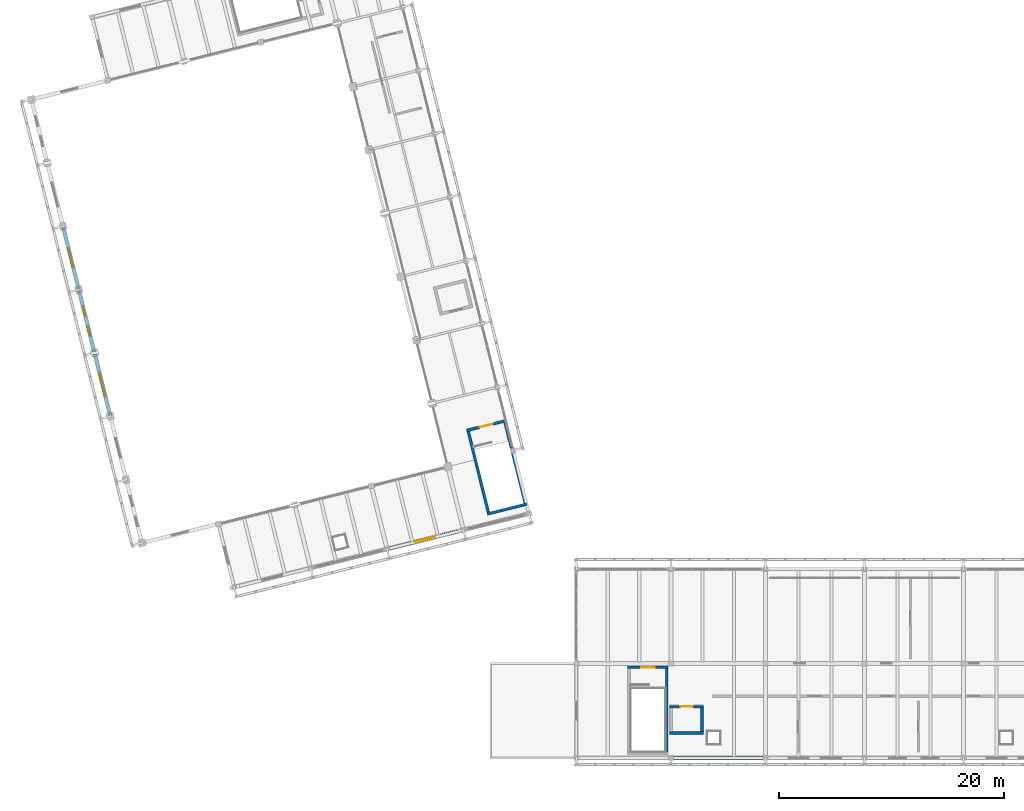
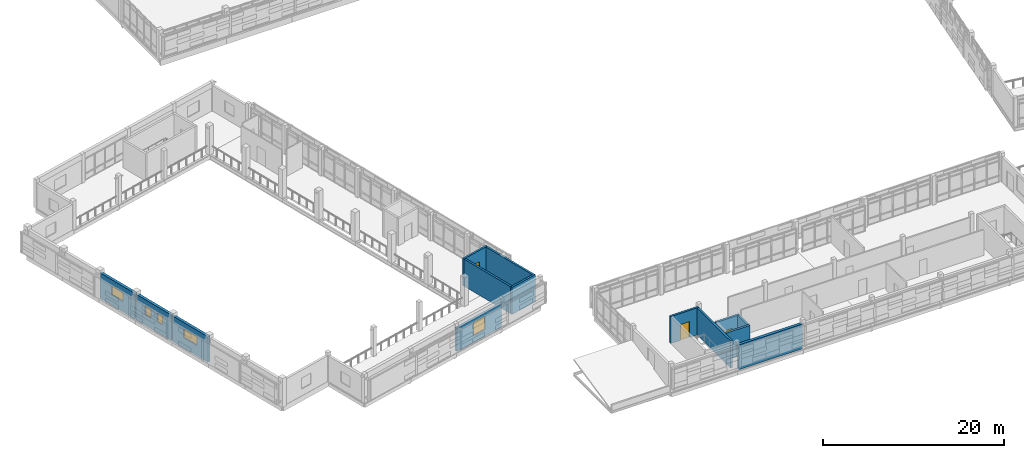
# One storey, part 94 of 117: 14 walls, 5 windows, 3 doors, 8 openings.
"""IFC4 building model written with IfcOpenShell, lengths in metres."""

from ifc_helpers import new_model, si_unit, direction, frame, frame_2d, origin, place, context, subcontext, project, spatial, rectangle, extrude, material, layer, layer_set, type_object, element, fill, save


model = new_model("IFC4")

# Units and contexts
model_context = context("Model", 3, precision=1e-05, world=origin(), true_north=direction((0.0, 1.0)))
body_context = subcontext(model_context, "Body", "Model", "MODEL_VIEW")
ifc_project = project(units=[si_unit("LENGTHUNIT", "METRE"), si_unit("AREAUNIT", "SQUARE_METRE"), si_unit("VOLUMEUNIT", "CUBIC_METRE"), si_unit("PLANEANGLEUNIT", "RADIAN"), si_unit("MASSUNIT", "GRAM", prefix="KILO")], contexts=[model_context])

# Site, building, storey
site_placement = place(None, origin())
site = spatial("IfcSite", under=ifc_project, at=site_placement, CompositionType="ELEMENT")
building_placement = place(site_placement, origin())
building = spatial("IfcBuilding", under=site, at=building_placement, Name="Cinderway Yard Community Centre", CompositionType="ELEMENT")
storey_placement = place(building_placement, frame((0.0, 0.0, 9.0)))
storey = spatial("IfcBuildingStorey", under=building, at=storey_placement, Name="L02", CompositionType="ELEMENT", Elevation=9.0)

# Wall, opening, window
ifc_material_1 = material(Name="Brick Masonry", Category="masonry")
ifc_layer_1 = layer(ifc_material_1, 0.300048828125, Name="Brick Masonry")
ifc_layer_set_1 = layer_set([ifc_layer_1], Name="Brick Masonry")
wall_type_1 = type_object("IfcWallType", Name="ENV-WAL-EXT300", PredefinedType="SOLIDWALL", material=ifc_layer_set_1)
wall_1_placement = place(storey_placement, frame((41.68603515625, 24.593994140625, 0.0), z_axis=(0.0, 0.0, 1.0), x_axis=(0.970296478685, 0.241918877831, 0.0)))
wall_1 = element("IfcWall", 1, at=wall_1_placement, inside=storey, type_object=wall_type_1, Name="Sanctuary South Brick Wall ENV-WAL-L02-0044", PredefinedType="SOLIDWALL", context=body_context, shape_type="SweptSolid", body=[
    extrude(rectangle(XDim=6.7998046875, YDim=0.300048828125, at=frame_2d((3.39990234375, 0.0))), origin(), (0.0, 0.0, 1.0), 3.135009765625),
])
opening_1_placement = place(wall_1_placement, frame((2.5, 0.0, 0.89990234375)))
opening_1 = element("IfcOpeningElement", 2, at=opening_1_placement, cuts=wall_1, Name="Opening W-08", PredefinedType="OPENING", context=body_context, shape_type="SweptSolid", body=[
    extrude(rectangle(XDim=1.800048828125, YDim=1.800048828125, at=frame_2d((0.89990234375, 0.89990234375))), frame((0.0, 0.159912109375, 0.0), z_axis=(0.0, -1.0, 0.0), x_axis=(1.0, 0.0, 0.0)), (0.0, 0.0, 1.0), 0.320068359375),
])
ifc_material_2 = material(Name="Laminated Low-E Glass", Category="glass")
window_type_1 = type_object("IfcWindowType", Name="ENV-WIN-W08", PartitioningType="DOUBLE_PANEL_VERTICAL", PredefinedType="WINDOW", material=ifc_material_2)
window_1_placement = place(opening_1_placement, origin())
window_1 = element("IfcWindow", 3, at=window_1_placement, inside=storey, type_object=window_type_1, Name="Exterior window ENV-WIN-L02-0032", OverallHeight=1.800048828125, OverallWidth=1.800048828125, PartitioningType="SINGLE_PANEL", PredefinedType="WINDOW", context=body_context, shape_type="SweptSolid", body=[
    extrude(rectangle(XDim=1.800048828125, YDim=1.800048828125, at=frame_2d((0.89990234375, 0.89990234375))), frame((0.0, 0.030029296875, 0.0), z_axis=(0.0, -1.0, 0.0), x_axis=(1.0, 0.0, 0.0)), (0.0, 0.0, 1.0), 0.06005859375),
])
fill(opening_1, window_1)

ifc_layer_2 = layer(ifc_material_1, 0.340087890625, Name="Brick Masonry")
ifc_layer_set_2 = layer_set([ifc_layer_2], Name="Brick Masonry")
wall_type_2 = type_object("IfcWallType", Name="ENV-WAL-EXT340", PredefinedType="SOLIDWALL", material=ifc_layer_set_2)
wall_2_placement = place(storey_placement, frame((16.97900390625, 36.468994140625, 0.0), z_axis=(0.0, 0.0, 1.0), x_axis=(-0.241940664393, 0.970291046497, 0.0)))
wall_2 = element("IfcWall", 4, at=wall_2_placement, inside=storey, type_object=wall_type_2, Name="Main Hall West Brick Wall ENV-WAL-L02-0038", PredefinedType="SOLIDWALL", context=body_context, shape_type="SweptSolid", body=[
    extrude(rectangle(XDim=5.6005859375, YDim=0.340087890625, at=frame_2d((2.80029296875, 0.0))), origin(), (0.0, 0.0, 1.0), 3.449951171875),
])
opening_2_placement = place(wall_2_placement, frame((1.699951171875, 0.0, 1.39990234375)))
opening_2 = element("IfcOpeningElement", 5, at=opening_2_placement, cuts=wall_2, Name="Opening W-22", PredefinedType="OPENING", context=body_context, shape_type="SweptSolid", body=[
    extrude(rectangle(XDim=2.199951171875, YDim=1.199951171875, at=frame_2d((1.10009765625, 0.60009765625))), frame((0.0, 0.179931640625, 0.0), z_axis=(0.0, -1.0, 0.0), x_axis=(1.0, 0.0, 0.0)), (0.0, 0.0, 1.0), 0.360107421875),
])
window_type_2 = type_object("IfcWindowType", Name="ENV-WIN-W22", PartitioningType="DOUBLE_PANEL_VERTICAL", PredefinedType="WINDOW", material=ifc_material_2)
window_2_placement = place(opening_2_placement, origin())
window_2 = element("IfcWindow", 6, at=window_2_placement, inside=storey, type_object=window_type_2, Name="Exterior window ENV-WIN-L02-0024", OverallHeight=1.199951171875, OverallWidth=2.199951171875, PartitioningType="SINGLE_PANEL", PredefinedType="WINDOW", context=body_context, shape_type="SweptSolid", body=[
    extrude(rectangle(XDim=2.199951171875, YDim=1.199951171875, at=frame_2d((1.10009765625, 0.60009765625))), frame((0.0, 0.030029296875, 0.0), z_axis=(0.0, -1.0, 0.0), x_axis=(1.0, 0.0, 0.0)), (0.0, 0.0, 1.0), 0.06005859375),
])
fill(opening_2, window_2)

# Wall, openings, windows
wall_3_placement = place(storey_placement, frame((15.575927734375, 42.096923828125, 0.0), z_axis=(0.0, 0.0, 1.0), x_axis=(-0.241940664393, 0.970291046497, 0.0)))
wall_3 = element("IfcWall", 7, at=wall_3_placement, inside=storey, type_object=wall_type_2, Name="Main Hall West Brick Wall ENV-WAL-L02-0039", PredefinedType="SOLIDWALL", context=body_context, shape_type="SweptSolid", body=[
    extrude(rectangle(XDim=5.6005859375, YDim=0.340087890625, at=frame_2d((2.80029296875, 0.0))), origin(), (0.0, 0.0, 1.0), 3.449951171875),
])
opening_3_placement = place(wall_3_placement, frame((1.4169921875, 0.0, 1.39990234375)))
opening_3 = element("IfcOpeningElement", 8, at=opening_3_placement, cuts=wall_3, Name="Opening W-19", PredefinedType="OPENING", context=body_context, shape_type="SweptSolid", body=[
    extrude(rectangle(XDim=0.89990234375, YDim=1.199951171875, at=frame_2d((0.449951171875, 0.60009765625))), frame((0.0, 0.179931640625, 0.0), z_axis=(0.0, -1.0, 0.0), x_axis=(1.0, 0.0, 0.0)), (0.0, 0.0, 1.0), 0.360107421875),
])
opening_4_placement = place(wall_3_placement, frame((3.283935546875, 0.0, 1.39990234375)))
opening_4 = element("IfcOpeningElement", 9, at=opening_4_placement, cuts=wall_3, Name="Opening W-19", PredefinedType="OPENING", context=body_context, shape_type="SweptSolid", body=[
    extrude(rectangle(XDim=0.89990234375, YDim=1.199951171875, at=frame_2d((0.449951171875, 0.60009765625))), frame((0.0, 0.179931640625, 0.0), z_axis=(0.0, -1.0, 0.0), x_axis=(1.0, 0.0, 0.0)), (0.0, 0.0, 1.0), 0.360107421875),
])
window_type_3 = type_object("IfcWindowType", Name="ENV-WIN-W19", PartitioningType="SINGLE_PANEL", PredefinedType="WINDOW", material=ifc_material_2)
window_3_placement = place(opening_3_placement, origin())
window_3 = element("IfcWindow", 10, at=window_3_placement, inside=storey, type_object=window_type_3, Name="Exterior window ENV-WIN-L02-0025", OverallHeight=1.199951171875, OverallWidth=0.89990234375, PartitioningType="SINGLE_PANEL", PredefinedType="WINDOW", context=body_context, shape_type="SweptSolid", body=[
    extrude(rectangle(XDim=0.89990234375, YDim=1.199951171875, at=frame_2d((0.449951171875, 0.60009765625))), frame((0.0, 0.030029296875, 0.0), z_axis=(0.0, -1.0, 0.0), x_axis=(1.0, 0.0, 0.0)), (0.0, 0.0, 1.0), 0.06005859375),
])
fill(opening_3, window_3)
window_4_placement = place(opening_4_placement, origin())
window_4 = element("IfcWindow", 11, at=window_4_placement, inside=storey, type_object=window_type_3, Name="Exterior window ENV-WIN-L02-0026", OverallHeight=1.199951171875, OverallWidth=0.89990234375, PartitioningType="SINGLE_PANEL", PredefinedType="WINDOW", context=body_context, shape_type="SweptSolid", body=[
    extrude(rectangle(XDim=0.89990234375, YDim=1.199951171875, at=frame_2d((0.449951171875, 0.60009765625))), frame((0.0, 0.030029296875, 0.0), z_axis=(0.0, -1.0, 0.0), x_axis=(1.0, 0.0, 0.0)), (0.0, 0.0, 1.0), 0.06005859375),
])
fill(opening_4, window_4)

# Wall, opening, window
wall_4_placement = place(storey_placement, frame((14.173095703125, 47.72509765625, 0.0), z_axis=(0.0, 0.0, 1.0), x_axis=(-0.241991842685, 0.970278283831, 0.0)))
wall_4 = element("IfcWall", 12, at=wall_4_placement, inside=storey, type_object=wall_type_2, Name="Main Hall West Brick Wall ENV-WAL-L02-0040", PredefinedType="SOLIDWALL", context=body_context, shape_type="SweptSolid", body=[
    extrude(rectangle(XDim=5.599365234375, YDim=0.340087890625, at=frame_2d((2.7998046875, 0.0))), origin(), (0.0, 0.0, 1.0), 3.449951171875),
])
opening_5_placement = place(wall_4_placement, frame((1.89990234375, 0.0, 1.39990234375)))
opening_5 = element("IfcOpeningElement", 13, at=opening_5_placement, cuts=wall_4, Name="Opening W-21", PredefinedType="OPENING", context=body_context, shape_type="SweptSolid", body=[
    extrude(rectangle(XDim=1.800048828125, YDim=1.199951171875, at=frame_2d((0.89990234375, 0.60009765625))), frame((0.0, 0.179931640625, 0.0), z_axis=(0.0, -1.0, 0.0), x_axis=(1.0, 0.0, 0.0)), (0.0, 0.0, 1.0), 0.360107421875),
])
window_type_4 = type_object("IfcWindowType", Name="ENV-WIN-W21", PartitioningType="DOUBLE_PANEL_VERTICAL", PredefinedType="WINDOW", material=ifc_material_2)
window_5_placement = place(opening_5_placement, origin())
window_5 = element("IfcWindow", 14, at=window_5_placement, inside=storey, type_object=window_type_4, Name="Exterior window ENV-WIN-L02-0027", OverallHeight=1.199951171875, OverallWidth=1.800048828125, PartitioningType="SINGLE_PANEL", PredefinedType="WINDOW", context=body_context, shape_type="SweptSolid", body=[
    extrude(rectangle(XDim=1.800048828125, YDim=1.199951171875, at=frame_2d((0.89990234375, 0.60009765625))), frame((0.0, 0.030029296875, 0.0), z_axis=(0.0, -1.0, 0.0), x_axis=(1.0, 0.0, 0.0)), (0.0, 0.0, 1.0), 0.06005859375),
])
fill(opening_5, window_5)

# Wall
wall_5_placement = place(storey_placement, frame((66.89990234375, 6.0, 0.0), z_axis=(0.0, 0.0, 1.0), x_axis=(1.0, 0.0, 0.0)))
element("IfcWall", 15, at=wall_5_placement, inside=storey, type_object=wall_type_2, Name="Dining South Brick Wall ENV-WAL-L02-0118", PredefinedType="SOLIDWALL", context=body_context, shape_type="SweptSolid", body=[
    extrude(rectangle(XDim=8.2001953125, YDim=0.340087890625, at=frame_2d((4.10009765625, 0.0))), origin(), (0.0, 0.0, 1.0), 3.345947265625),
])

# Wall, opening, door
ifc_material_3 = material(Name="Concrete C40/50", Category="concrete")
ifc_layer_3 = layer(ifc_material_3, 0.25, Name="Concrete C40/50")
ifc_layer_set_3 = layer_set([ifc_layer_3], Name="Concrete C40/50")
wall_type_3 = type_object("IfcWallType", Name="INT-WAL-SHR250", PredefinedType="SHEAR", material=ifc_layer_set_3)
wall_6_placement = place(storey_placement, frame((48.653076171875, 35.112060546875, 0.0), z_axis=(0.0, 0.0, 1.0), x_axis=(0.97025377679, 0.242090083699, 0.0)))
wall_6 = element("IfcWall", 16, at=wall_6_placement, inside=storey, type_object=wall_type_3, Name="Stair ST-05 Entry Wall INT-WAL-L02-0133", PredefinedType="SHEAR", context=body_context, shape_type="SweptSolid", body=[
    extrude(rectangle(XDim=3.6103515625, YDim=0.25, at=frame_2d((1.80517578125, 0.0))), origin(), (0.0, 0.0, 1.0), 3.659912109375),
])
opening_6_placement = place(wall_6_placement, frame((1.205078125, 0.0, 0.0)))
opening_6 = element("IfcOpeningElement", 17, at=opening_6_placement, cuts=wall_6, Name="Opening D-ST1", PredefinedType="OPENING", context=body_context, shape_type="SweptSolid", body=[
    extrude(rectangle(XDim=1.199951171875, YDim=2.14990234375, at=frame_2d((0.60009765625, 1.074951171875))), frame((0.0, 0.135009765625, 0.0), z_axis=(0.0, -1.0, 0.0), x_axis=(1.0, 0.0, 0.0)), (0.0, 0.0, 1.0), 0.27001953125),
])
ifc_material_4 = material(Name="Painted Galvanised Steel", Category="steel")
door_type_1 = type_object("IfcDoorType", Name="INT-DOR-ST120", OperationType="NOTDEFINED", PredefinedType="DOOR", material=ifc_material_4)
door_1_placement = place(opening_6_placement, origin())
door_1 = element("IfcDoor", 18, at=door_1_placement, inside=storey, type_object=door_type_1, Name="Core door INT-DOR-L02-0037", OperationType="SINGLE_SWING_LEFT", OverallHeight=2.14990234375, OverallWidth=1.199951171875, PredefinedType="DOOR", context=body_context, shape_type="SweptSolid", body=[
    extrude(rectangle(XDim=1.199951171875, YDim=2.14990234375, at=frame_2d((0.60009765625, 1.074951171875))), frame((0.0, 0.02490234375, 0.0), z_axis=(0.0, -1.0, 0.0), x_axis=(1.0, 0.0, 0.0)), (0.0, 0.0, 1.0), 0.050048828125),
])
fill(opening_6, door_1)

# Walls
wall_7_placement = place(storey_placement, frame((54.00390625, 28.572021484375, 0.0), z_axis=(0.0, 0.0, 1.0), x_axis=(-0.970301456204, -0.241898912952, 0.0)))
element("IfcWall", 19, at=wall_7_placement, inside=storey, type_object=wall_type_3, Name="Stair ST-05 Back Wall INT-WAL-L02-0134", PredefinedType="SHEAR", context=body_context, shape_type="SweptSolid", body=[
    extrude(rectangle(XDim=3.609130859375, YDim=0.25, at=frame_2d((1.8046875, 0.0))), origin(), (0.0, 0.0, 1.0), 3.659912109375),
])
wall_8_placement = place(storey_placement, frame((52.06494140625, 35.833984375, 0.0), z_axis=(0.0, 0.0, 1.0), x_axis=(0.241944845077, -0.97029000404, 0.0)))
element("IfcWall", 20, at=wall_8_placement, inside=storey, type_object=wall_type_3, Name="Stair ST-05 Side Wall L INT-WAL-L02-0135", PredefinedType="SHEAR", context=body_context, shape_type="SweptSolid", body=[
    extrude(rectangle(XDim=7.390380859375, YDim=0.25, at=frame_2d((3.6953125, 0.0))), origin(), (0.0, 0.0, 1.0), 3.659912109375),
])
wall_9_placement = place(storey_placement, frame((50.593017578125, 27.85107421875, 0.0), z_axis=(0.0, 0.0, 1.0), x_axis=(-0.241975869228, 0.970282267544, 0.0)))
element("IfcWall", 21, at=wall_9_placement, inside=storey, type_object=wall_type_3, Name="Stair ST-05 Side Wall R INT-WAL-L02-0136", PredefinedType="SHEAR", context=body_context, shape_type="SweptSolid", body=[
    extrude(rectangle(XDim=7.389404296875, YDim=0.25, at=frame_2d((3.69482421875, 0.0))), origin(), (0.0, 0.0, 1.0), 3.659912109375),
])

# Wall, opening, door
wall_10_placement = place(storey_placement, frame((62.955078125, 14.070068359375, 0.0), z_axis=(0.0, 0.0, 1.0), x_axis=(1.0, 0.0, 0.0)))
wall_10 = element("IfcWall", 22, at=wall_10_placement, inside=storey, type_object=wall_type_3, Name="Stair ST-09 Entry Wall INT-WAL-L02-0205", PredefinedType="SHEAR", context=body_context, shape_type="SweptSolid", body=[
    extrude(rectangle(XDim=3.60986328125, YDim=0.25, at=frame_2d((1.804931640625, 0.0))), origin(), (0.0, 0.0, 1.0), 3.659912109375),
])
opening_7_placement = place(wall_10_placement, frame((1.205078125, 0.0, 0.0)))
opening_7 = element("IfcOpeningElement", 23, at=opening_7_placement, cuts=wall_10, Name="Opening D-ST1", PredefinedType="OPENING", context=body_context, shape_type="SweptSolid", body=[
    extrude(rectangle(XDim=1.199951171875, YDim=2.14990234375, at=frame_2d((0.60009765625, 1.074951171875))), frame((0.0, 0.135009765625, 0.0), z_axis=(0.0, -1.0, 0.0), x_axis=(1.0, 0.0, 0.0)), (0.0, 0.0, 1.0), 0.27001953125),
])
door_2_placement = place(opening_7_placement, origin())
door_2 = element("IfcDoor", 24, at=door_2_placement, inside=storey, type_object=door_type_1, Name="Core door INT-DOR-L02-0055", OperationType="SINGLE_SWING_LEFT", OverallHeight=2.14990234375, OverallWidth=1.199951171875, PredefinedType="DOOR", context=body_context, shape_type="SweptSolid", body=[
    extrude(rectangle(XDim=1.199951171875, YDim=2.14990234375, at=frame_2d((0.60009765625, 1.074951171875))), frame((0.0, 0.02490234375, 0.0), z_axis=(0.0, -1.0, 0.0), x_axis=(1.0, 0.0, 0.0)), (0.0, 0.0, 1.0), 0.050048828125),
])
fill(opening_7, door_2)

# Walls
wall_11_placement = place(storey_placement, frame((66.43994140625, 13.945068359375, 0.0), z_axis=(0.0, 0.0, 1.0), x_axis=(0.0, -1.0, 0.0)))
element("IfcWall", 25, at=wall_11_placement, inside=storey, type_object=wall_type_3, Name="Stair ST-09 Side Wall L INT-WAL-L02-0207", PredefinedType="SHEAR", context=body_context, shape_type="SweptSolid", body=[
    extrude(rectangle(XDim=7.39013671875, YDim=0.25, at=frame_2d((3.695068359375, 0.0))), origin(), (0.0, 0.0, 1.0), 3.659912109375),
])
wall_12_placement = place(storey_placement, frame((66.699951171875, 8.22998046875, 0.0), z_axis=(0.0, 0.0, 1.0), x_axis=(1.0, 0.0, 0.0)))
element("IfcWall", 26, at=wall_12_placement, inside=storey, type_object=wall_type_3, Name="Lift LF-05 South Wall INT-WAL-L02-0217", PredefinedType="SHEAR", context=body_context, shape_type="SweptSolid", body=[
    extrude(rectangle(XDim=3.0, YDim=0.25, at=frame_2d((1.5, 0.0))), origin(), (0.0, 0.0, 1.0), 3.659912109375),
])

# Wall, opening, door
wall_13_placement = place(storey_placement, frame((69.699951171875, 10.570068359375, 0.0), z_axis=(0.0, 0.0, 1.0), x_axis=(-1.0, 0.0, 0.0)))
wall_13 = element("IfcWall", 27, at=wall_13_placement, inside=storey, type_object=wall_type_3, Name="Lift LF-05 North Wall INT-WAL-L02-0218", PredefinedType="SHEAR", context=body_context, shape_type="SweptSolid", body=[
    extrude(rectangle(XDim=3.0, YDim=0.25, at=frame_2d((1.5, 0.0))), origin(), (0.0, 0.0, 1.0), 3.659912109375),
])
opening_8_placement = place(wall_13_placement, frame((0.949951171875, 0.0, 0.0)))
opening_8 = element("IfcOpeningElement", 28, at=opening_8_placement, cuts=wall_13, Name="Opening LD-01", PredefinedType="OPENING", context=body_context, shape_type="SweptSolid", body=[
    extrude(rectangle(XDim=1.10009765625, YDim=2.14990234375, at=frame_2d((0.550048828125, 1.074951171875))), frame((0.0, 0.135009765625, 0.0), z_axis=(0.0, -1.0, 0.0), x_axis=(1.0, 0.0, 0.0)), (0.0, 0.0, 1.0), 0.27001953125),
])
door_type_2 = type_object("IfcDoorType", Name="INT-DOR-LD01", OperationType="SLIDING_TO_LEFT", PredefinedType="DOOR", material=ifc_material_4)
door_3_placement = place(opening_8_placement, origin())
door_3 = element("IfcDoor", 29, at=door_3_placement, inside=storey, type_object=door_type_2, Name="Lift landing door INT-DOR-L02-0058", OperationType="SLIDING_TO_LEFT", OverallHeight=2.14990234375, OverallWidth=1.10009765625, PredefinedType="DOOR", context=body_context, shape_type="SweptSolid", body=[
    extrude(rectangle(XDim=1.10009765625, YDim=2.14990234375, at=frame_2d((0.550048828125, 1.074951171875))), frame((0.0, 0.02490234375, 0.0), z_axis=(0.0, -1.0, 0.0), x_axis=(1.0, 0.0, 0.0)), (0.0, 0.0, 1.0), 0.050048828125),
])
fill(opening_8, door_3)

# Wall
wall_14_placement = place(storey_placement, frame((69.570068359375, 8.360107421875, 0.0), z_axis=(0.0, 0.0, 1.0), x_axis=(0.0, 1.0, 0.0)))
element("IfcWall", 30, at=wall_14_placement, inside=storey, type_object=wall_type_3, Name="Lift LF-05 East Wall INT-WAL-L02-0219", PredefinedType="SHEAR", context=body_context, shape_type="SweptSolid", body=[
    extrude(rectangle(XDim=2.079833984375, YDim=0.25, at=frame_2d((1.0400390625, 0.0))), origin(), (0.0, 0.0, 1.0), 3.659912109375),
])

save(model, "model.ifc")
